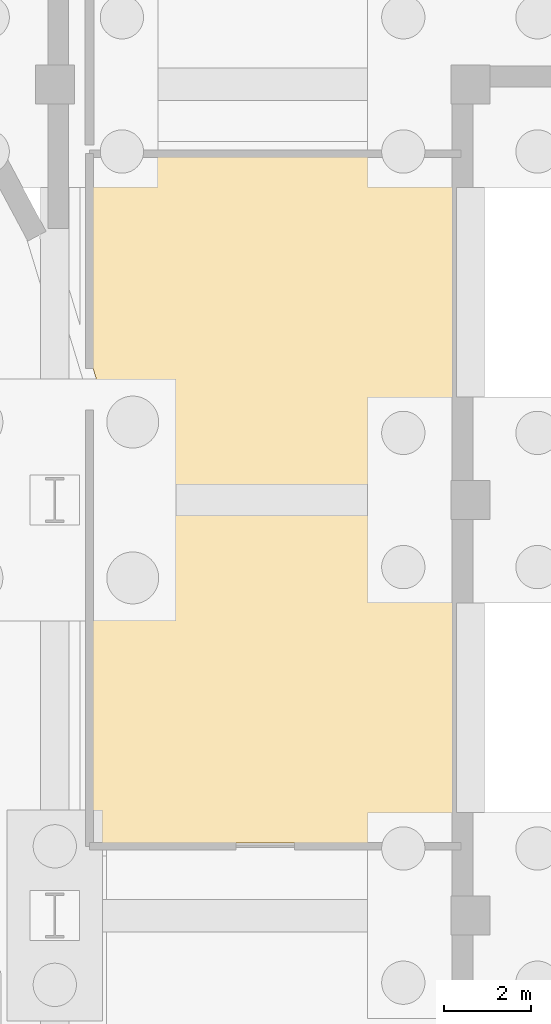
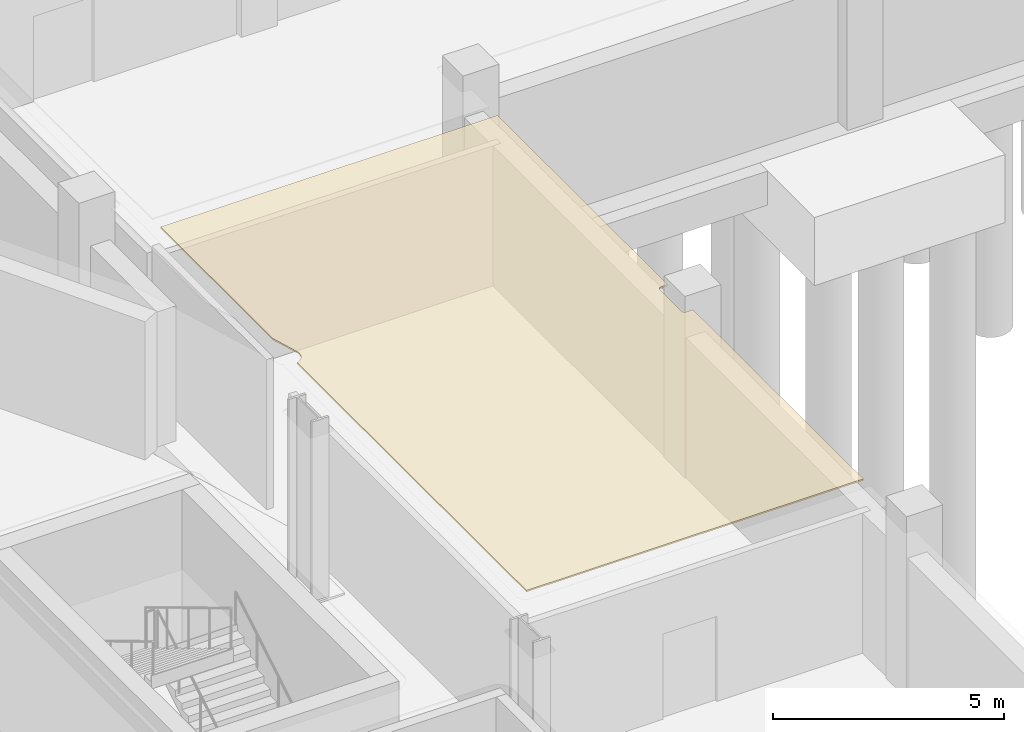
# One storey, part 61 of 67: 1 covering.
"""IFC4 building model written with IfcOpenShell, lengths in metres."""

from ifc_helpers import new_model, si_unit, direction, frame, origin, place, context, subcontext, project, spatial, polyline, outline, extrude, material, layer, layer_set, type_object, element, save


model = new_model("IFC4")

# Units and contexts
model_context = context("Model", 3, precision=1e-05, world=origin(), true_north=direction((0.0, 1.0)))
body_context = subcontext(model_context, "Body", "Model", "MODEL_VIEW")
ifc_project = project(units=[si_unit("LENGTHUNIT", "METRE"), si_unit("AREAUNIT", "SQUARE_METRE"), si_unit("VOLUMEUNIT", "CUBIC_METRE"), si_unit("PLANEANGLEUNIT", "RADIAN"), si_unit("MASSUNIT", "GRAM", prefix="KILO")], contexts=[model_context])

# Site, building, storey
site_placement = place(None, origin())
site = spatial("IfcSite", under=ifc_project, at=site_placement, CompositionType="ELEMENT")
building_placement = place(site_placement, origin())
building = spatial("IfcBuilding", under=site, at=building_placement, Name="Caelomonte Colonnade Arena", CompositionType="ELEMENT")
storey_placement = place(building_placement, frame((0.0, 0.0, -4.800048828125)))
storey = spatial("IfcBuildingStorey", under=building, at=storey_placement, Name="B1", CompositionType="ELEMENT", Elevation=-4.800048828125)

# Covering
ifc_material = material(Name="Perforated acoustic mineral-fibre ceiling")
ifc_layer = layer(ifc_material, 0.0400390625)
ifc_layer_set = layer_set([ifc_layer], Name="Perforated acoustic mineral-fibre ceiling")
covering_type = type_object("IfcCoveringType", Name="INT-CV-CEIL1", PredefinedType="CEILING", material=ifc_layer_set)
covering_placement = place(storey_placement, frame((0.0, 0.0, 4.420166015625)))
element("IfcCovering", 1, at=covering_placement, inside=storey, type_object=covering_type, Name="B1 Event First Aid Clinic acoustic ceiling", PredefinedType="CEILING", context=body_context, shape_type="SweptSolid", body=[
    extrude(outline(polyline([(164.08740234375, 98.010986328125), (164.080078125, 98.0087890625), (164.080078125, 88.080078125), (172.5, 88.080078125), (172.5, 95.455078125), (172.3349609375, 95.455078125), (172.3271484375, 95.455322265625), (172.3193359375, 95.45654296875), (172.311767578125, 95.45849609375), (172.304443359375, 95.461181640625), (172.29736328125, 95.46435546875), (172.29052734375, 95.468505859375), (172.2841796875, 95.47314453125), (172.2783203125, 95.478515625), (172.273193359375, 95.484130859375), (172.2685546875, 95.490478515625), (172.264404296875, 95.497314453125), (172.260986328125, 95.50439453125), (172.25830078125, 95.51171875), (172.256591796875, 95.519287109375), (172.25537109375, 95.527099609375), (172.2548828125, 95.534912109375), (172.2548828125, 96.465087890625), (172.25537109375, 96.472900390625), (172.256591796875, 96.480712890625), (172.25830078125, 96.48828125), (172.260986328125, 96.49560546875), (172.264404296875, 96.502685546875), (172.2685546875, 96.509521484375), (172.273193359375, 96.515869140625), (172.2783203125, 96.521484375), (172.2841796875, 96.52685546875), (172.29052734375, 96.531494140625), (172.29736328125, 96.53564453125), (172.304443359375, 96.538818359375), (172.311767578125, 96.54150390625), (172.3193359375, 96.54345703125), (172.3271484375, 96.544677734375), (172.3349609375, 96.544921875), (172.5, 96.544921875), (172.5, 103.919921875), (164.080078125, 103.919921875), (164.080078125, 99.05517578125), (164.28369140625, 98.384033203125), (164.28466796875, 98.380126953125), (164.289794921875, 98.359375), (164.29150390625, 98.3515625), (164.294677734375, 98.330078125), (164.29541015625, 98.322509765625), (164.29638671875, 98.30078125), (164.29638671875, 98.29296875), (164.29541015625, 98.271484375), (164.294677734375, 98.263671875), (164.29150390625, 98.2421875), (164.289794921875, 98.234619140625), (164.28466796875, 98.213623046875), (164.2822265625, 98.2060546875), (164.275146484375, 98.185791015625), (164.272216796875, 98.178466796875), (164.2626953125, 98.158935546875), (164.259033203125, 98.152099609375), (164.248046875, 98.133544921875), (164.24365234375, 98.126953125), (164.230712890625, 98.109619140625), (164.225830078125, 98.103515625), (164.211181640625, 98.087646484375), (164.205810546875, 98.08203125), (164.189697265625, 98.067626953125), (164.18359375, 98.0625), (164.16650390625, 98.0498046875), (164.159912109375, 98.04541015625), (164.141357421875, 98.0341796875), (164.134521484375, 98.030517578125), (164.114990234375, 98.021240234375), (164.107666015625, 98.018310546875), (164.08740234375, 98.010986328125)])), origin(), (0.0, 0.0, 1.0), 0.039794921875),
])

save(model, "model.ifc")
